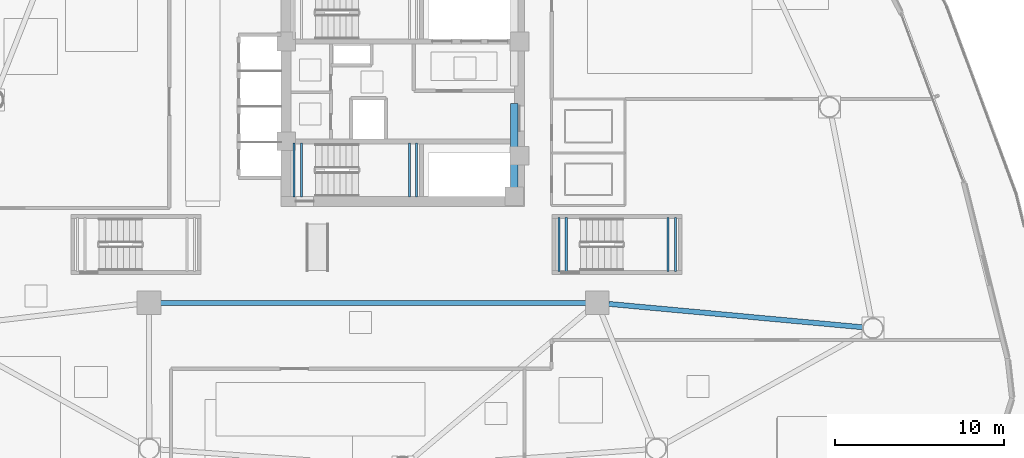
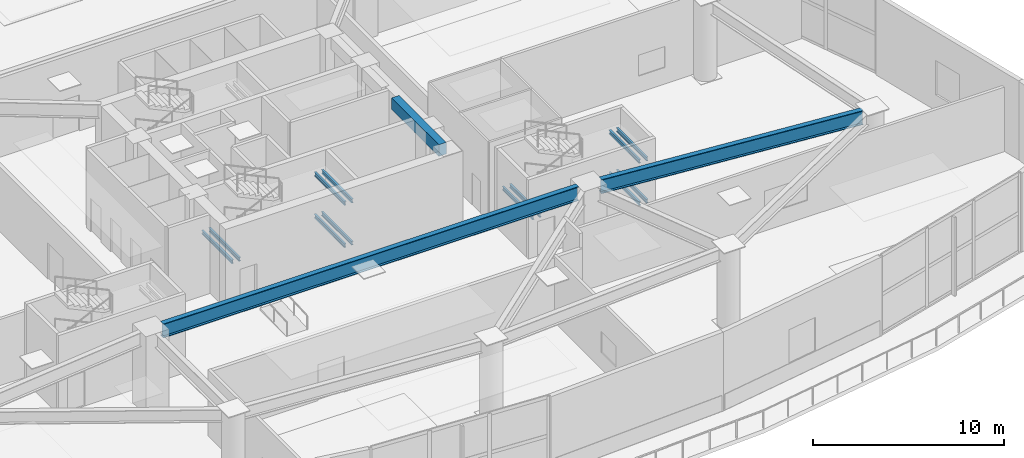
# One storey, part 5 of 25: 15 beams.
"""IFC4 building model written with IfcOpenShell, lengths in metres."""

from ifc_helpers import new_model, si_unit, direction, frame, origin, origin_2d, place, context, subcontext, project, spatial, rectangle, i_section, extrude, material, material_profile, profile_set, type_object, element, save


model = new_model("IFC4")

# Units and contexts
model_context = context("Model", 3, precision=1e-05, world=origin(), true_north=direction((0.0, 1.0)))
body_context = subcontext(model_context, "Body", "Model", "MODEL_VIEW")
ifc_project = project(units=[si_unit("LENGTHUNIT", "METRE"), si_unit("AREAUNIT", "SQUARE_METRE"), si_unit("VOLUMEUNIT", "CUBIC_METRE"), si_unit("PLANEANGLEUNIT", "RADIAN"), si_unit("MASSUNIT", "GRAM", prefix="KILO")], contexts=[model_context])

# Site, building, storey
site_placement = place(None, origin())
site = spatial("IfcSite", under=ifc_project, at=site_placement, CompositionType="ELEMENT")
building_placement = place(site_placement, origin())
building = spatial("IfcBuilding", under=site, at=building_placement, Name="Tavelor Broadcast Tower", CompositionType="ELEMENT")
storey_placement = place(building_placement, frame((0.0, 0.0, 11.39990234375)))
storey = spatial("IfcBuildingStorey", under=building, at=storey_placement, Name="L02", CompositionType="ELEMENT", Elevation=11.39990234375)

# Beams
ifc_material_1 = material(Name="Concrete C40/50", Category="concrete")
ifc_material_profile_1 = material_profile(ifc_material_1, rectangle(XDim=0.449951171875, YDim=0.75, at=origin_2d()), Name="RC 450x750")
ifc_profile_set_1 = profile_set([ifc_material_profile_1], Name="Concrete C40/50")
beam_type_1 = type_object("IfcBeamType", Name="Basement Core Trim Beam 450x750", PredefinedType="BEAM", material=ifc_profile_set_1)
beam_1_placement = place(storey_placement, frame((56.60009765625, 39.327880859375, 4.675048828125), z_axis=(0.0, 1.0, 0.0), x_axis=(-1.0, 0.0, 0.0)))
element("IfcBeam", 1, at=beam_1_placement, inside=storey, type_object=beam_type_1, Name="L02 Core East-S Tie Girder", PredefinedType="BEAM", context=body_context, shape_type="SweptSolid", body=[
    extrude(rectangle(XDim=0.449951171875, YDim=0.75, at=origin_2d()), origin(), (0.0, 0.0, 1.0), 4.944091796875),
])
ifc_material_2 = material(Name="Steel S355", Category="steel")
ifc_material_profile_2 = material_profile(ifc_material_2, i_section(OverallWidth=0.1201171875, OverallDepth=0.239990234375, WebThickness=0.006103515625, FlangeThickness=0.009765625, at=origin_2d()), Name="IPE 240")
ifc_profile_set_2 = profile_set([ifc_material_profile_2], Name="Steel S355")
beam_type_2 = type_object("IfcBeamType", Name="Stairwell Landing Support Trimmer Beam IPE240", PredefinedType="BEAM", material=ifc_profile_set_2)
for number, where, z_axis, x_axis, name in (
    (2, (50.385009765625, 38.760009765625, 1.03515625), (0.0, 1.0, 0.0), (-1.0, 0.0, 0.0), "L02 Stair Landing Support Beam 231"),
    (3, (50.824951171875, 38.760009765625, 1.03515625), (0.0, 1.0, 0.0), (-1.0, 0.0, 0.0), "L02 Stair Landing Support Beam 232"),
    (4, (43.574951171875, 38.760009765625, 2.385009765625), (0.0, 1.0, 0.0), (-1.0, 0.0, 0.0), "L02 Stair Landing Support Beam 233"),
    (5, (44.014892578125, 38.760009765625, 2.385009765625), (0.0, 1.0, 0.0), (-1.0, 0.0, 0.0), "L02 Stair Landing Support Beam 234"),
    (6, (50.385009765625, 38.760009765625, 3.735107421875), (0.0, 1.0, 0.0), (-1.0, 0.0, 0.0), "L02 Stair Landing Support Beam 235"),
    (7, (50.824951171875, 38.760009765625, 3.735107421875), (0.0, 1.0, 0.0), (-1.0, 0.0, 0.0), "L02 Stair Landing Support Beam 236"),
    (8, (65.68505859375, 34.360107421875, 1.03515625), (0.0, 1.0, 0.0), (-1.0, 0.0, 0.0), "L02 Stair Landing Support Beam 455"),
    (9, (66.125, 34.360107421875, 1.03515625), (0.0, 1.0, 0.0), (-1.0, 0.0, 0.0), "L02 Stair Landing Support Beam 456"),
    (10, (59.22509765625, 34.360107421875, 2.385009765625), (0.0, 1.0, 0.0), (-1.0, 0.0, 0.0), "L02 Stair Landing Support Beam 457"),
    (11, (59.6650390625, 34.360107421875, 2.385009765625), (0.0, 1.0, 0.0), (-1.0, 0.0, 0.0), "L02 Stair Landing Support Beam 458"),
    (12, (65.68505859375, 34.360107421875, 3.735107421875), (0.0, 1.0, 0.0), (-1.0, 0.0, 0.0), "L02 Stair Landing Support Beam 459"),
    (13, (66.125, 34.360107421875, 3.735107421875), (0.0, 1.0, 0.0), (-1.0, 0.0, 0.0), "L02 Stair Landing Support Beam 460"),
):
    element("IfcBeam", number, at=place(storey_placement, frame(where, z_axis=z_axis, x_axis=x_axis)), inside=storey, type_object=beam_type_2, Name=name, PredefinedType="BEAM", context=body_context, shape_type="SweptSolid", body=[
        extrude(i_section(OverallWidth=0.1201171875, OverallDepth=0.239990234375, WebThickness=0.006103515625, FlangeThickness=0.009765625, at=origin_2d()), origin(), (0.0, 0.0, 1.0), 3.179931640625),
    ])
ifc_material_3 = material(Name="Steel S460", Category="steel")
ifc_material_profile_3 = material_profile(ifc_material_3, i_section(OverallWidth=0.300048828125, OverallDepth=0.89990234375, WebThickness=0.0185546875, FlangeThickness=0.034912109375, at=origin_2d()), Name="HEB 900")
ifc_profile_set_3 = profile_set([ifc_material_profile_3], Name="Steel S460")
beam_type_3 = type_object("IfcBeamType", Name="Studio Long-Span Girder HEB900", PredefinedType="BEAM", material=ifc_profile_set_3)
beam_2_placement = place(storey_placement, frame((35.679931640625, 32.5, 4.60009765625), z_axis=(1.0, 0.0, 0.0), x_axis=(0.0, 1.0, 0.0)))
element("IfcBeam", 14, at=beam_2_placement, inside=storey, type_object=beam_type_3, Name="L02 Studio Ring Girder 1", PredefinedType="BEAM", context=body_context, shape_type="SweptSolid", body=[
    extrude(i_section(OverallWidth=0.300048828125, OverallDepth=0.89990234375, WebThickness=0.0185546875, FlangeThickness=0.034912109375, at=origin_2d()), origin(), (0.0, 0.0, 1.0), 25.14013671875),
])
beam_3_placement = place(storey_placement, frame((62.177001953125, 32.437744140625, 4.60009765625), z_axis=(0.995791126224, -0.09165169357, 0.0), x_axis=(0.09165169357, 0.995791126224, 0.0)))
element("IfcBeam", 15, at=beam_3_placement, inside=storey, type_object=beam_type_3, Name="L02 Clear-Span Studio Girder 9", PredefinedType="BEAM", context=body_context, shape_type="SweptSolid", body=[
    extrude(i_section(OverallWidth=0.300048828125, OverallDepth=0.89990234375, WebThickness=0.0185546875, FlangeThickness=0.034912109375, at=origin_2d()), origin(), (0.0, 0.0, 1.0), 15.10888671875),
])

save(model, "model.ifc")
